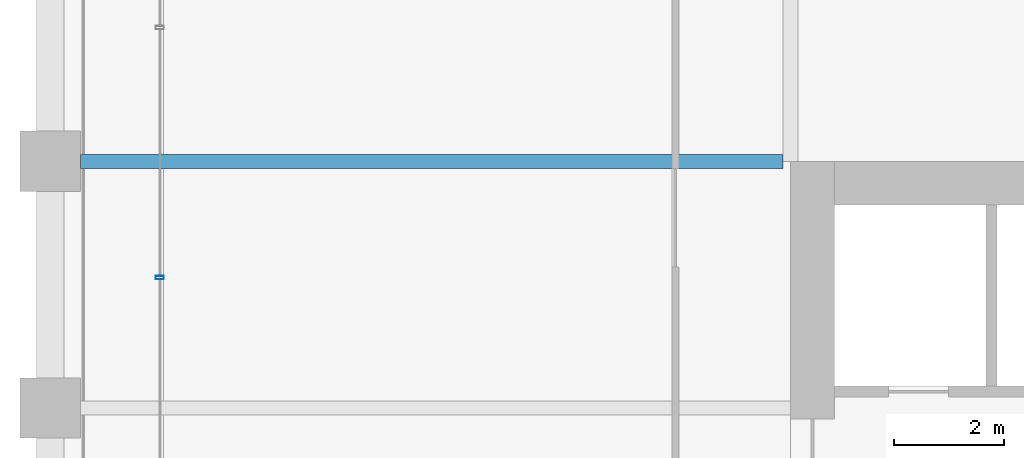
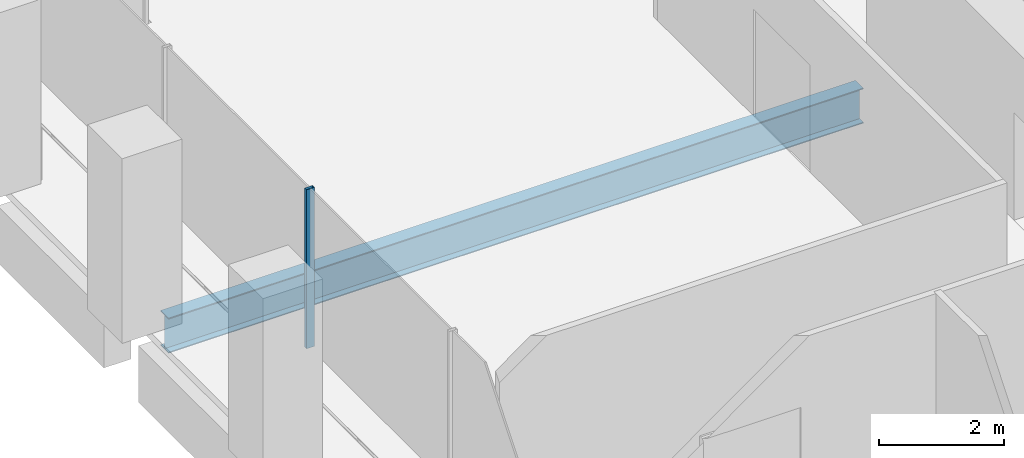
# One storey, part 14 of 54: 1 beam, 1 member, 1 element without a shape of its own.
"""IFC4 building model written with IfcOpenShell, lengths in metres."""

from ifc_helpers import new_model, si_unit, direction, frame, origin, origin_2d, place, context, subcontext, project, spatial, hollow_rectangle, i_section, extrude, material, material_profile, profile_set, type_object, element, aggregate, save


model = new_model("IFC4")

# Units and contexts
model_context = context("Model", 3, precision=1e-05, world=origin(), true_north=direction((0.0, 1.0)))
body_context = subcontext(model_context, "Body", "Model", "MODEL_VIEW")
ifc_project = project(units=[si_unit("LENGTHUNIT", "METRE"), si_unit("AREAUNIT", "SQUARE_METRE"), si_unit("VOLUMEUNIT", "CUBIC_METRE"), si_unit("PLANEANGLEUNIT", "RADIAN"), si_unit("MASSUNIT", "GRAM", prefix="KILO")], contexts=[model_context])

# Site, building, storey
site_placement = place(None, origin())
site = spatial("IfcSite", under=ifc_project, at=site_placement, CompositionType="ELEMENT")
building_placement = place(site_placement, origin())
building = spatial("IfcBuilding", under=site, at=building_placement, Name="Altepetl Exchange Towers", CompositionType="ELEMENT")
storey_placement = place(building_placement, frame((0.0, 0.0, 61.800048828125)))
storey = spatial("IfcBuildingStorey", under=building, at=storey_placement, Name="L14", CompositionType="ELEMENT", Elevation=61.800048828125)

# Beam
ifc_material_1 = material(Name="Steel S355", Category="steel")
ifc_material_profile_1 = material_profile(ifc_material_1, i_section(OverallWidth=0.25390625, OverallDepth=0.68408203125, WebThickness=0.012451171875, FlangeThickness=0.018798828125, at=origin_2d()), Name="W27X94")
ifc_profile_set_1 = profile_set([ifc_material_profile_1], Name="Steel S355")
beam_type = type_object("IfcBeamType", Name="Floor beam W27X94", PredefinedType="BEAM", material=ifc_profile_set_1)
beam_placement = place(storey_placement, frame((27.550048828125, 58.5, -0.491943359375), z_axis=(1.0, 0.0, 0.0), x_axis=(0.0, 1.0, 0.0)))
element("IfcBeam", 1, at=beam_placement, inside=storey, type_object=beam_type, Name="bm:A:L14:021", PredefinedType="BEAM", context=body_context, shape_type="SweptSolid", body=[
    extrude(i_section(OverallWidth=0.25390625, OverallDepth=0.68408203125, WebThickness=0.012451171875, FlangeThickness=0.018798828125, at=origin_2d()), origin(), (0.0, 0.0, 1.0), 12.81591796875),
])

# Curtain wall, member
ifc_material_2 = material(Name="Aluminium 6063-T6 glazing", Category="aluminium")
curtain_wall_type = type_object("IfcCurtainWallType", Name="Loggia glazing system", PredefinedType="NOTDEFINED", material=ifc_material_2)
curtain_wall_placement = place(storey_placement, origin())
curtain_wall = element("IfcCurtainWall", 2, at=curtain_wall_placement, inside=storey, type_object=curtain_wall_type, Name="CW1 run", PredefinedType="NOTDEFINED")
ifc_material_3 = material(Name="Aluminium 6063-T6", Category="aluminium")
ifc_material_profile_2 = material_profile(ifc_material_3, hollow_rectangle(XDim=0.06005859375, YDim=0.14990234375, WallThickness=0.0029296875, at=origin_2d()), Name="Mullion 60x150 aluminium")
ifc_profile_set_2 = profile_set([ifc_material_profile_2], Name="Aluminium 6063-T6")
member_type = type_object("IfcMemberType", Name="Mullion 60x150 aluminium", PredefinedType="MULLION", material=ifc_profile_set_2)
member_placement = place(storey_placement, frame((29.0, 56.378662109375, 0.0), z_axis=(0.0, 0.0, 1.0), x_axis=(0.0, -1.0, 0.0)))
member = element("IfcMember", 3, at=member_placement, type_object=member_type, Name="MU1 mullion", PredefinedType="MULLION", context=body_context, shape_type="SweptSolid", body=[
    extrude(hollow_rectangle(XDim=0.06005859375, YDim=0.14990234375, WallThickness=0.0029296875, at=origin_2d()), origin(), (0.0, 0.0, 1.0), 3.099853515625),
])
aggregate(curtain_wall, [member])

save(model, "model.ifc")
